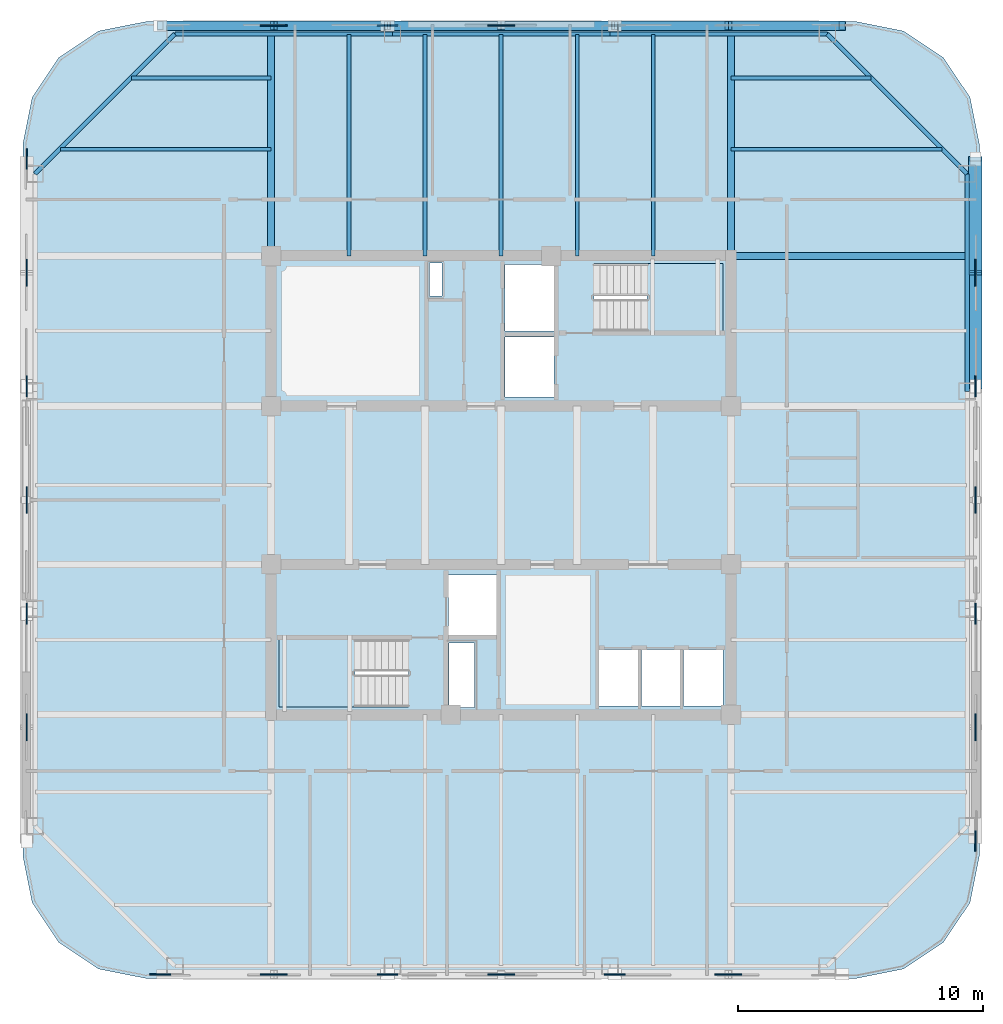
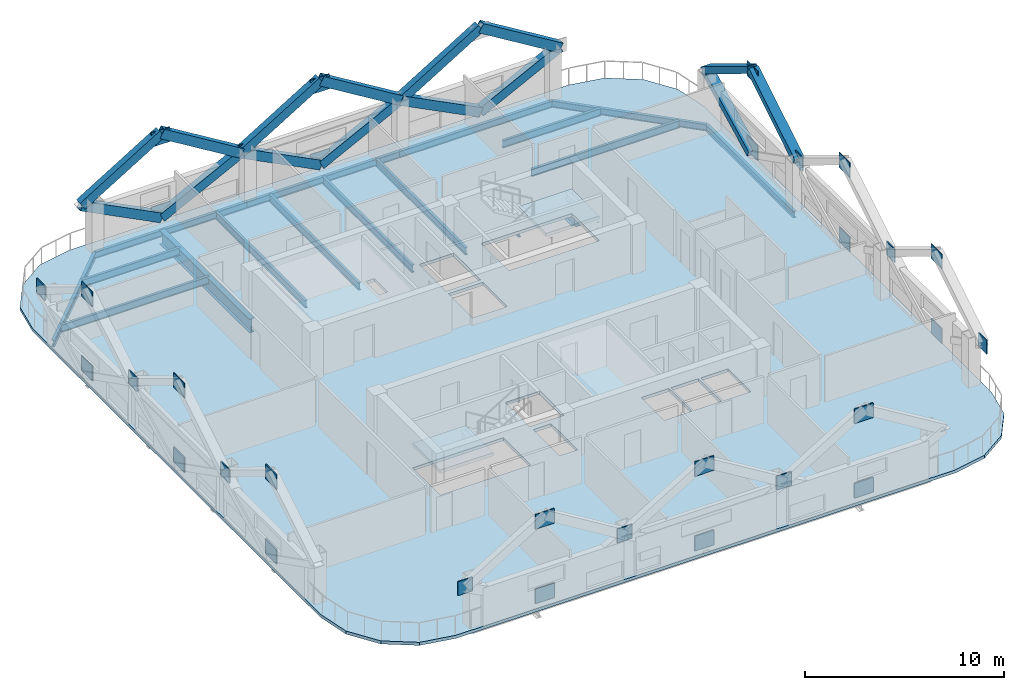
# One storey, part 2 of 9: 32 plates, 18 beams, 15 members, 3 slabs, 2 elements without a shape of their own.
"""IFC4 building model written with IfcOpenShell, lengths in metres."""

from ifc_helpers import new_model, si_unit, direction, frame, origin, origin_2d, place, context, subcontext, project, spatial, polyline, rectangle, hollow_rectangle, i_section, outline, extrude, material, layer, layer_set, material_profile, profile_set, type_object, element, aggregate, save


model = new_model("IFC4")

# Units and contexts
model_context = context("Model", 3, precision=1e-05, world=origin(), true_north=direction((0.0, 1.0)))
body_context = subcontext(model_context, "Body", "Model", "MODEL_VIEW")
ifc_project = project(units=[si_unit("LENGTHUNIT", "METRE"), si_unit("AREAUNIT", "SQUARE_METRE"), si_unit("VOLUMEUNIT", "CUBIC_METRE"), si_unit("PLANEANGLEUNIT", "RADIAN"), si_unit("MASSUNIT", "GRAM", prefix="KILO")], contexts=[model_context])

# Site, building, storey
site_placement = place(None, origin())
site = spatial("IfcSite", under=ifc_project, at=site_placement, CompositionType="ELEMENT")
building_placement = place(site_placement, origin())
building = spatial("IfcBuilding", under=site, at=building_placement, Name="Qhalaya Broadcast Tower", CompositionType="ELEMENT")
storey_placement = place(building_placement, frame((0.0, 0.0, 211.699951171875)))
storey = spatial("IfcBuildingStorey", under=building, at=storey_placement, Name="L62", CompositionType="ELEMENT", Elevation=211.699951171875)

# Beams
ifc_material_1 = material(Name="Structural Steel ASTM A992 Grade 50", Category="steel")
ifc_material_profile_1 = material_profile(ifc_material_1, i_section(OverallWidth=0.154052734375, OverallDepth=0.458984375, WebThickness=0.009033203125, FlangeThickness=0.015380859375, at=origin_2d()), Name="W18X46")
ifc_profile_set_1 = profile_set([ifc_material_profile_1], Name="Structural Steel ASTM A992 Grade 50")
beam_type_1 = type_object("IfcBeamType", Name="Composite Floor Joist J04", PredefinedType="JOIST", material=ifc_profile_set_1)
for number, where, z_axis, x_axis, name in (
    (1, (-6.199951171875, 9.949951171875, -0.41943359375), (0.0, 1.0, 0.0), (-1.0, 0.0, 0.0), "L62 J04 L62-JNN1-1"),
    (2, (-3.10009765625, 9.949951171875, -0.41943359375), (0.0, 1.0, 0.0), (-1.0, 0.0, 0.0), "L62 J04 L62-JNN2-1"),
    (3, (0.0, 9.949951171875, -0.41943359375), (0.0, 1.0, 0.0), (-1.0, 0.0, 0.0), "L62 J04 L62-JNN3-1"),
    (4, (3.10009765625, 9.949951171875, -0.41943359375), (0.0, 1.0, 0.0), (-1.0, 0.0, 0.0), "L62 J04 L62-JNN4-1"),
    (5, (6.199951171875, 9.949951171875, -0.41943359375), (0.0, 1.0, 0.0), (-1.0, 0.0, 0.0), "L62 J04 L62-JNN5-1"),
):
    element("IfcBeam", number, at=place(storey_placement, frame(where, z_axis=z_axis, x_axis=x_axis)), inside=storey, type_object=beam_type_1, Name=name, PredefinedType="JOIST", context=body_context, shape_type="SweptSolid", body=[
        extrude(i_section(OverallWidth=0.154052734375, OverallDepth=0.458984375, WebThickness=0.009033203125, FlangeThickness=0.015380859375, at=origin_2d()), origin(), (0.0, 0.0, 1.0), 9.030029296875),
    ])
for number, where, z_axis, x_axis, name in (
    (6, (-17.9716796875, 14.300048828125, -0.41943359375), (1.0, 0.0, 0.0), (0.0, 1.0, 0.0), "L62 J04 L62-JWE6W-1"),
    (7, (9.375, 14.300048828125, -0.41943359375), (1.0, 0.0, 0.0), (0.0, 1.0, 0.0), "L62 J04 L62-JWE6E-1"),
):
    element("IfcBeam", number, at=place(storey_placement, frame(where, z_axis=z_axis, x_axis=x_axis)), inside=storey, type_object=beam_type_1, Name=name, PredefinedType="JOIST", context=body_context, shape_type="SweptSolid", body=[
        extrude(i_section(OverallWidth=0.154052734375, OverallDepth=0.458984375, WebThickness=0.009033203125, FlangeThickness=0.015380859375, at=origin_2d()), origin(), (0.0, 0.0, 1.0), 8.5966796875),
    ])
for number, where, z_axis, x_axis, name in (
    (8, (-15.07177734375, 17.199951171875, -0.41943359375), (1.0, 0.0, 0.0), (0.0, 1.0, 0.0), "L62 J04 L62-JWE7W-1"),
    (9, (9.375, 17.199951171875, -0.41943359375), (1.0, 0.0, 0.0), (0.0, 1.0, 0.0), "L62 J04 L62-JWE7E-1"),
):
    element("IfcBeam", number, at=place(storey_placement, frame(where, z_axis=z_axis, x_axis=x_axis)), inside=storey, type_object=beam_type_1, Name=name, PredefinedType="JOIST", context=body_context, shape_type="SweptSolid", body=[
        extrude(i_section(OverallWidth=0.154052734375, OverallDepth=0.458984375, WebThickness=0.009033203125, FlangeThickness=0.015380859375, at=origin_2d()), origin(), (0.0, 0.0, 1.0), 5.69677734375),
    ])

# Members
ifc_material_2 = material(Name="Structural Steel ASTM A572 Grade 50", Category="steel")
ifc_material_profile_2 = material_profile(ifc_material_2, hollow_rectangle(XDim=0.3798828125, YDim=0.550048828125, WallThickness=0.02490234375, at=origin_2d()), Name="BOX 380x550x25")
ifc_profile_set_2 = profile_set([ifc_material_profile_2], Name="Structural Steel ASTM A572 Grade 50")
member_type = type_object("IfcMemberType", Name="Exoskeleton Diamond Diagonal Upper EX4", PredefinedType="BRACE", material=ifc_profile_set_2)
member_placement = place(storey_placement, frame((19.340087890625, 9.2666015625, 0.360107421875), z_axis=(0.0, 0.892235092116, 0.451571190841), x_axis=(0.0, -0.451571190841, 0.892235092116)))
element("IfcMember", 10, at=member_placement, inside=storey, type_object=member_type, Name="B5 Exoskeleton Diamond Brace E3-D2", PredefinedType="BRACE", context=body_context, shape_type="SweptSolid", body=[
    extrude(hollow_rectangle(XDim=0.3798828125, YDim=0.550048828125, WallThickness=0.02490234375, at=origin_2d()), origin(), (0.0, 0.0, 1.0), 5.19287109375),
])
for number, where, z_axis, x_axis, name in (
    (11, (19.340087890625, 4.63330078125, 2.705078125), (0.0, 0.853815197337, 0.520576227652), (0.0, -0.520576227652, 0.853815197337), "B5 Exoskeleton Diamond Brace E3-D3"),
    (12, (19.340087890625, 13.89990234375, 2.705078125), (0.0, -0.853815197337, 0.520576227652), (0.0, 0.520576227652, 0.853815197337), "B5 Exoskeleton Diamond Brace E3-D4"),
):
    element("IfcMember", number, at=place(storey_placement, frame(where, z_axis=z_axis, x_axis=x_axis)), inside=storey, type_object=member_type, Name=name, PredefinedType="BRACE", context=body_context, shape_type="SweptSolid", body=[
        extrude(hollow_rectangle(XDim=0.3798828125, YDim=0.550048828125, WallThickness=0.02490234375, at=origin_2d()), origin(), (0.0, 0.0, 1.0), 5.426513671875),
    ])
for number, where, z_axis, x_axis, name in (
    (13, (9.2666015625, 19.340087890625, 0.360107421875), (0.892235092116, 0.0, 0.451571190841), (0.0, 1.0, 0.0), "B5 Exoskeleton Diamond Brace N1-D1"),
    (14, (9.2666015625, 19.340087890625, 0.360107421875), (-0.892235092116, 0.0, 0.451571190841), (0.0, -1.0, 0.0), "B5 Exoskeleton Diamond Brace N1-D2"),
):
    element("IfcMember", number, at=place(storey_placement, frame(where, z_axis=z_axis, x_axis=x_axis)), inside=storey, type_object=member_type, Name=name, PredefinedType="BRACE", context=body_context, shape_type="SweptSolid", body=[
        extrude(hollow_rectangle(XDim=0.3798828125, YDim=0.550048828125, WallThickness=0.02490234375, at=origin_2d()), origin(), (0.0, 0.0, 1.0), 5.19287109375),
    ])
for number, where, z_axis, x_axis, name in (
    (15, (13.89990234375, 19.340087890625, 2.705078125), (-0.853815197337, 0.0, 0.520576227652), (0.0, -1.0, 0.0), "B5 Exoskeleton Diamond Brace N1-D3"),
    (16, (4.63330078125, 19.340087890625, 2.705078125), (0.853815197337, 0.0, 0.520576227652), (0.0, 1.0, 0.0), "B5 Exoskeleton Diamond Brace N1-D4"),
):
    element("IfcMember", number, at=place(storey_placement, frame(where, z_axis=z_axis, x_axis=x_axis)), inside=storey, type_object=member_type, Name=name, PredefinedType="BRACE", context=body_context, shape_type="SweptSolid", body=[
        extrude(hollow_rectangle(XDim=0.3798828125, YDim=0.550048828125, WallThickness=0.02490234375, at=origin_2d()), origin(), (0.0, 0.0, 1.0), 5.426513671875),
    ])
for number, where, z_axis, x_axis, name in (
    (17, (0.0, 19.340087890625, 0.360107421875), (0.892235092116, 0.0, 0.451571190841), (0.0, 1.0, 0.0), "B5 Exoskeleton Diamond Brace N2-D1"),
    (18, (0.0, 19.340087890625, 0.360107421875), (-0.892235092116, 0.0, 0.451571190841), (0.0, -1.0, 0.0), "B5 Exoskeleton Diamond Brace N2-D2"),
):
    element("IfcMember", number, at=place(storey_placement, frame(where, z_axis=z_axis, x_axis=x_axis)), inside=storey, type_object=member_type, Name=name, PredefinedType="BRACE", context=body_context, shape_type="SweptSolid", body=[
        extrude(hollow_rectangle(XDim=0.3798828125, YDim=0.550048828125, WallThickness=0.02490234375, at=origin_2d()), origin(), (0.0, 0.0, 1.0), 5.19287109375),
    ])
for number, where, z_axis, x_axis, name in (
    (19, (4.63330078125, 19.340087890625, 2.705078125), (-0.853815197337, 0.0, 0.520576227652), (0.0, -1.0, 0.0), "B5 Exoskeleton Diamond Brace N2-D3"),
    (20, (-4.63330078125, 19.340087890625, 2.705078125), (0.853815197337, 0.0, 0.520576227652), (0.0, 1.0, 0.0), "B5 Exoskeleton Diamond Brace N2-D4"),
):
    element("IfcMember", number, at=place(storey_placement, frame(where, z_axis=z_axis, x_axis=x_axis)), inside=storey, type_object=member_type, Name=name, PredefinedType="BRACE", context=body_context, shape_type="SweptSolid", body=[
        extrude(hollow_rectangle(XDim=0.3798828125, YDim=0.550048828125, WallThickness=0.02490234375, at=origin_2d()), origin(), (0.0, 0.0, 1.0), 5.426513671875),
    ])
for number, where, z_axis, x_axis, name in (
    (21, (-9.2666015625, 19.340087890625, 0.360107421875), (0.892235092116, 0.0, 0.451571190841), (0.0, 1.0, 0.0), "B5 Exoskeleton Diamond Brace N3-D1"),
    (22, (-9.2666015625, 19.340087890625, 0.360107421875), (-0.892235092116, 0.0, 0.451571190841), (0.0, -1.0, 0.0), "B5 Exoskeleton Diamond Brace N3-D2"),
):
    element("IfcMember", number, at=place(storey_placement, frame(where, z_axis=z_axis, x_axis=x_axis)), inside=storey, type_object=member_type, Name=name, PredefinedType="BRACE", context=body_context, shape_type="SweptSolid", body=[
        extrude(hollow_rectangle(XDim=0.3798828125, YDim=0.550048828125, WallThickness=0.02490234375, at=origin_2d()), origin(), (0.0, 0.0, 1.0), 5.19287109375),
    ])
for number, where, z_axis, x_axis, name in (
    (23, (-4.63330078125, 19.340087890625, 2.705078125), (-0.853815197337, 0.0, 0.520576227652), (0.0, -1.0, 0.0), "B5 Exoskeleton Diamond Brace N3-D3"),
    (24, (-13.89990234375, 19.340087890625, 2.705078125), (0.853815197337, 0.0, 0.520576227652), (0.0, 1.0, 0.0), "B5 Exoskeleton Diamond Brace N3-D4"),
):
    element("IfcMember", number, at=place(storey_placement, frame(where, z_axis=z_axis, x_axis=x_axis)), inside=storey, type_object=member_type, Name=name, PredefinedType="BRACE", context=body_context, shape_type="SweptSolid", body=[
        extrude(hollow_rectangle(XDim=0.3798828125, YDim=0.550048828125, WallThickness=0.02490234375, at=origin_2d()), origin(), (0.0, 0.0, 1.0), 5.426513671875),
    ])

# Beams
ifc_material_profile_3 = material_profile(ifc_material_1, i_section(OverallWidth=0.2919921875, OverallDepth=0.85888671875, WebThickness=0.01708984375, FlangeThickness=0.031005859375, at=origin_2d()), Name="W33X169")
ifc_profile_set_3 = profile_set([ifc_material_profile_3], Name="Structural Steel ASTM A992 Grade 50")
beam_type_2 = type_object("IfcBeamType", Name="Upper Block Primary Girder PG4", PredefinedType="USERDEFINED", material=ifc_profile_set_3)
for number, where, z_axis, x_axis, name in (
    (25, (-9.375, 9.949951171875, -0.619384765625), (0.0, 1.0, 0.0), (-1.0, 0.0, 0.0), "L62 PG4 L62-PGXN1-1"),
    (26, (9.375, 9.949951171875, -0.619384765625), (0.0, 1.0, 0.0), (-1.0, 0.0, 0.0), "L62 PG4 L62-PGXN2-1"),
):
    element("IfcBeam", number, at=place(storey_placement, frame(where, z_axis=z_axis, x_axis=x_axis)), inside=storey, type_object=beam_type_2, Name=name, ObjectType="GIRDER", PredefinedType="USERDEFINED", context=body_context, shape_type="SweptSolid", body=[
        extrude(i_section(OverallWidth=0.2919921875, OverallDepth=0.85888671875, WebThickness=0.01708984375, FlangeThickness=0.031005859375, at=origin_2d()), origin(), (0.0, 0.0, 1.0), 9.030029296875),
    ])
beam_1_placement = place(storey_placement, frame((9.375, 9.949951171875, -0.619384765625), z_axis=(1.0, 0.0, 0.0), x_axis=(0.0, 1.0, 0.0)))
element("IfcBeam", 27, at=beam_1_placement, inside=storey, type_object=beam_type_2, Name="L62 PG4 L62-PGYE4-1", ObjectType="GIRDER", PredefinedType="USERDEFINED", context=body_context, shape_type="SweptSolid", body=[
    extrude(i_section(OverallWidth=0.2919921875, OverallDepth=0.85888671875, WebThickness=0.01708984375, FlangeThickness=0.031005859375, at=origin_2d()), origin(), (0.0, 0.0, 1.0), 9.60498046875),
])
ifc_material_profile_4 = material_profile(ifc_material_1, i_section(OverallWidth=0.177978515625, OverallDepth=0.406005859375, WebThickness=0.0078125, FlangeThickness=0.0126953125, at=origin_2d()), Name="W16X40")
ifc_profile_set_4 = profile_set([ifc_material_profile_4], Name="Structural Steel ASTM A992 Grade 50")
beam_type_3 = type_object("IfcBeamType", Name="Upper Perimeter Spandrel Beam SP2", PredefinedType="SPANDREL", material=ifc_profile_set_4)
beam_2_placement = place(storey_placement, frame((19.0, 4.433349609375, -0.39306640625), z_axis=(0.0, 1.0, 0.0), x_axis=(-1.0, 0.0, 0.0)))
element("IfcBeam", 28, at=beam_2_placement, inside=storey, type_object=beam_type_3, Name="L62 SP2 L62-SPR-07", PredefinedType="SPANDREL", context=body_context, shape_type="SweptSolid", body=[
    extrude(i_section(OverallWidth=0.177978515625, OverallDepth=0.406005859375, WebThickness=0.0078125, FlangeThickness=0.0126953125, at=origin_2d()), origin(), (0.0, 0.0, 1.0), 8.86669921875),
])
beam_3_placement = place(storey_placement, frame((19.0, 13.300048828125, -0.39306640625), z_axis=(-0.707106781187, 0.707106781187, 0.0), x_axis=(-0.707106781187, -0.707106781187, 0.0)))
element("IfcBeam", 29, at=beam_3_placement, inside=storey, type_object=beam_type_3, Name="L62 SP2 L62-SPR-08", PredefinedType="SPANDREL", context=body_context, shape_type="SweptSolid", body=[
    extrude(i_section(OverallWidth=0.177978515625, OverallDepth=0.406005859375, WebThickness=0.0078125, FlangeThickness=0.0126953125, at=origin_2d()), origin(), (0.0, 0.0, 1.0), 8.06103515625),
])
for number, where, z_axis, x_axis, name in (
    (30, (13.300048828125, 19.0, -0.39306640625), (-1.0, 0.0, 0.0), (0.0, -1.0, 0.0), "L62 SP2 L62-SPR-09"),
    (31, (4.433349609375, 19.0, -0.39306640625), (-1.0, 0.0, 0.0), (0.0, -1.0, 0.0), "L62 SP2 L62-SPR-10"),
    (32, (-4.433349609375, 19.0, -0.39306640625), (-1.0, 0.0, 0.0), (0.0, -1.0, 0.0), "L62 SP2 L62-SPR-11"),
):
    element("IfcBeam", number, at=place(storey_placement, frame(where, z_axis=z_axis, x_axis=x_axis)), inside=storey, type_object=beam_type_3, Name=name, PredefinedType="SPANDREL", context=body_context, shape_type="SweptSolid", body=[
        extrude(i_section(OverallWidth=0.177978515625, OverallDepth=0.406005859375, WebThickness=0.0078125, FlangeThickness=0.0126953125, at=origin_2d()), origin(), (0.0, 0.0, 1.0), 8.86669921875),
    ])
beam_4_placement = place(storey_placement, frame((-13.300048828125, 19.0, -0.39306640625), z_axis=(-0.707106781187, -0.707106781187, 0.0), x_axis=(0.707106781187, -0.707106781187, 0.0)))
element("IfcBeam", 33, at=beam_4_placement, inside=storey, type_object=beam_type_3, Name="L62 SP2 L62-SPR-12", PredefinedType="SPANDREL", context=body_context, shape_type="SweptSolid", body=[
    extrude(i_section(OverallWidth=0.177978515625, OverallDepth=0.406005859375, WebThickness=0.0078125, FlangeThickness=0.0126953125, at=origin_2d()), origin(), (0.0, 0.0, 1.0), 8.06103515625),
])

# Plates
ifc_layer_1 = layer(ifc_material_2, 0.054931640625, Name="Structural Steel ASTM A572 Grade 50")
ifc_layer_set_1 = layer_set([ifc_layer_1], Name="Structural Steel ASTM A572 Grade 50")
plate_type = type_object("IfcPlateType", Name="Exoskeleton Diamond Node Gusset Plate NP-01", PredefinedType="USERDEFINED", material=ifc_layer_set_1)
for number, where, z_axis, x_axis, name in (
    (34, (-9.2666015625, -19.340087890625, 0.210205078125), (0.0, 0.0, 1.0), (1.0, 0.0, 0.0), "Exoskeleton Diamond Node B5-S1-BOT"),
    (35, (-9.2666015625, -19.340087890625, 4.780029296875), (0.0, 0.0, 1.0), (1.0, 0.0, 0.0), "Exoskeleton Diamond Node B5-S1-TOP"),
):
    element("IfcPlate", number, at=place(storey_placement, frame(where, z_axis=z_axis, x_axis=x_axis)), inside=storey, type_object=plate_type, Name=name, ObjectType="GUSSET_PLATE", PredefinedType="USERDEFINED", context=body_context, shape_type="SweptSolid", body=[
        extrude(rectangle(XDim=1.10009765625, YDim=0.054931640625, at=origin_2d()), origin(), (0.0, 0.0, 1.0), 0.89990234375),
    ])
plate_1_placement = place(storey_placement, frame((-13.89990234375, -19.340087890625, 2.280029296875), z_axis=(0.0, 0.0, 1.0), x_axis=(1.0, 0.0, 0.0)))
element("IfcPlate", 36, at=plate_1_placement, inside=storey, type_object=plate_type, Name="Exoskeleton Diamond Node B5-S1-MDL", ObjectType="GUSSET_PLATE", PredefinedType="USERDEFINED", context=body_context, shape_type="SweptSolid", body=[
    extrude(rectangle(XDim=0.85009765625, YDim=0.054931640625, at=origin_2d()), origin(), (0.0, 0.0, 1.0), 0.85009765625),
])
for number, where, z_axis, x_axis, name in (
    (37, (0.0, -19.340087890625, 0.210205078125), (0.0, 0.0, 1.0), (1.0, 0.0, 0.0), "Exoskeleton Diamond Node B5-S2-BOT"),
    (38, (0.0, -19.340087890625, 4.780029296875), (0.0, 0.0, 1.0), (1.0, 0.0, 0.0), "Exoskeleton Diamond Node B5-S2-TOP"),
):
    element("IfcPlate", number, at=place(storey_placement, frame(where, z_axis=z_axis, x_axis=x_axis)), inside=storey, type_object=plate_type, Name=name, ObjectType="GUSSET_PLATE", PredefinedType="USERDEFINED", context=body_context, shape_type="SweptSolid", body=[
        extrude(rectangle(XDim=1.10009765625, YDim=0.054931640625, at=origin_2d()), origin(), (0.0, 0.0, 1.0), 0.89990234375),
    ])
plate_2_placement = place(storey_placement, frame((-4.63330078125, -19.340087890625, 2.280029296875), z_axis=(0.0, 0.0, 1.0), x_axis=(1.0, 0.0, 0.0)))
element("IfcPlate", 39, at=plate_2_placement, inside=storey, type_object=plate_type, Name="Exoskeleton Diamond Node B5-S2-MDL", ObjectType="GUSSET_PLATE", PredefinedType="USERDEFINED", context=body_context, shape_type="SweptSolid", body=[
    extrude(rectangle(XDim=0.85009765625, YDim=0.054931640625, at=origin_2d()), origin(), (0.0, 0.0, 1.0), 0.85009765625),
])
for number, where, z_axis, x_axis, name in (
    (40, (9.2666015625, -19.340087890625, 0.210205078125), (0.0, 0.0, 1.0), (1.0, 0.0, 0.0), "Exoskeleton Diamond Node B5-S3-BOT"),
    (41, (9.2666015625, -19.340087890625, 4.780029296875), (0.0, 0.0, 1.0), (1.0, 0.0, 0.0), "Exoskeleton Diamond Node B5-S3-TOP"),
):
    element("IfcPlate", number, at=place(storey_placement, frame(where, z_axis=z_axis, x_axis=x_axis)), inside=storey, type_object=plate_type, Name=name, ObjectType="GUSSET_PLATE", PredefinedType="USERDEFINED", context=body_context, shape_type="SweptSolid", body=[
        extrude(rectangle(XDim=1.10009765625, YDim=0.054931640625, at=origin_2d()), origin(), (0.0, 0.0, 1.0), 0.89990234375),
    ])
plate_3_placement = place(storey_placement, frame((4.63330078125, -19.340087890625, 2.280029296875), z_axis=(0.0, 0.0, 1.0), x_axis=(1.0, 0.0, 0.0)))
element("IfcPlate", 42, at=plate_3_placement, inside=storey, type_object=plate_type, Name="Exoskeleton Diamond Node B5-S3-MDL", ObjectType="GUSSET_PLATE", PredefinedType="USERDEFINED", context=body_context, shape_type="SweptSolid", body=[
    extrude(rectangle(XDim=0.85009765625, YDim=0.054931640625, at=origin_2d()), origin(), (0.0, 0.0, 1.0), 0.85009765625),
])
for number, where, z_axis, x_axis, name in (
    (43, (19.340087890625, -9.2666015625, 0.210205078125), (0.0, 0.0, 1.0), (0.0, 1.0, 0.0), "Exoskeleton Diamond Node B5-E1-BOT"),
    (44, (19.340087890625, -9.2666015625, 4.780029296875), (0.0, 0.0, 1.0), (0.0, 1.0, 0.0), "Exoskeleton Diamond Node B5-E1-TOP"),
):
    element("IfcPlate", number, at=place(storey_placement, frame(where, z_axis=z_axis, x_axis=x_axis)), inside=storey, type_object=plate_type, Name=name, ObjectType="GUSSET_PLATE", PredefinedType="USERDEFINED", context=body_context, shape_type="SweptSolid", body=[
        extrude(rectangle(XDim=1.10009765625, YDim=0.054931640625, at=origin_2d()), origin(), (0.0, 0.0, 1.0), 0.89990234375),
    ])
plate_4_placement = place(storey_placement, frame((19.340087890625, -13.89990234375, 2.280029296875), z_axis=(0.0, 0.0, 1.0), x_axis=(0.0, 1.0, 0.0)))
element("IfcPlate", 45, at=plate_4_placement, inside=storey, type_object=plate_type, Name="Exoskeleton Diamond Node B5-E1-MDL", ObjectType="GUSSET_PLATE", PredefinedType="USERDEFINED", context=body_context, shape_type="SweptSolid", body=[
    extrude(rectangle(XDim=0.85009765625, YDim=0.054931640625, at=origin_2d()), origin(), (0.0, 0.0, 1.0), 0.85009765625),
])
for number, where, z_axis, x_axis, name in (
    (46, (19.340087890625, 0.0, 0.210205078125), (0.0, 0.0, 1.0), (0.0, 1.0, 0.0), "Exoskeleton Diamond Node B5-E2-BOT"),
    (47, (19.340087890625, 0.0, 4.780029296875), (0.0, 0.0, 1.0), (0.0, 1.0, 0.0), "Exoskeleton Diamond Node B5-E2-TOP"),
):
    element("IfcPlate", number, at=place(storey_placement, frame(where, z_axis=z_axis, x_axis=x_axis)), inside=storey, type_object=plate_type, Name=name, ObjectType="GUSSET_PLATE", PredefinedType="USERDEFINED", context=body_context, shape_type="SweptSolid", body=[
        extrude(rectangle(XDim=1.10009765625, YDim=0.054931640625, at=origin_2d()), origin(), (0.0, 0.0, 1.0), 0.89990234375),
    ])
plate_5_placement = place(storey_placement, frame((19.340087890625, -4.63330078125, 2.280029296875), z_axis=(0.0, 0.0, 1.0), x_axis=(0.0, 1.0, 0.0)))
element("IfcPlate", 48, at=plate_5_placement, inside=storey, type_object=plate_type, Name="Exoskeleton Diamond Node B5-E2-MDL", ObjectType="GUSSET_PLATE", PredefinedType="USERDEFINED", context=body_context, shape_type="SweptSolid", body=[
    extrude(rectangle(XDim=0.85009765625, YDim=0.054931640625, at=origin_2d()), origin(), (0.0, 0.0, 1.0), 0.85009765625),
])
for number, where, z_axis, x_axis, name in (
    (49, (19.340087890625, 9.2666015625, 0.210205078125), (0.0, 0.0, 1.0), (0.0, 1.0, 0.0), "Exoskeleton Diamond Node B5-E3-BOT"),
    (50, (19.340087890625, 9.2666015625, 4.780029296875), (0.0, 0.0, 1.0), (0.0, 1.0, 0.0), "Exoskeleton Diamond Node B5-E3-TOP"),
):
    element("IfcPlate", number, at=place(storey_placement, frame(where, z_axis=z_axis, x_axis=x_axis)), inside=storey, type_object=plate_type, Name=name, ObjectType="GUSSET_PLATE", PredefinedType="USERDEFINED", context=body_context, shape_type="SweptSolid", body=[
        extrude(rectangle(XDim=1.10009765625, YDim=0.054931640625, at=origin_2d()), origin(), (0.0, 0.0, 1.0), 0.89990234375),
    ])
plate_6_placement = place(storey_placement, frame((19.340087890625, 4.63330078125, 2.280029296875), z_axis=(0.0, 0.0, 1.0), x_axis=(0.0, 1.0, 0.0)))
element("IfcPlate", 51, at=plate_6_placement, inside=storey, type_object=plate_type, Name="Exoskeleton Diamond Node B5-E3-MDL", ObjectType="GUSSET_PLATE", PredefinedType="USERDEFINED", context=body_context, shape_type="SweptSolid", body=[
    extrude(rectangle(XDim=0.85009765625, YDim=0.054931640625, at=origin_2d()), origin(), (0.0, 0.0, 1.0), 0.85009765625),
])
for number, where, z_axis, x_axis, name in (
    (52, (0.0, 19.340087890625, 0.210205078125), (0.0, 0.0, 1.0), (1.0, 0.0, 0.0), "Exoskeleton Diamond Node B5-N2-BOT"),
    (53, (0.0, 19.340087890625, 4.780029296875), (0.0, 0.0, 1.0), (1.0, 0.0, 0.0), "Exoskeleton Diamond Node B5-N2-TOP"),
    (54, (-9.2666015625, 19.340087890625, 0.210205078125), (0.0, 0.0, 1.0), (1.0, 0.0, 0.0), "Exoskeleton Diamond Node B5-N3-BOT"),
    (55, (-9.2666015625, 19.340087890625, 4.780029296875), (0.0, 0.0, 1.0), (1.0, 0.0, 0.0), "Exoskeleton Diamond Node B5-N3-TOP"),
):
    element("IfcPlate", number, at=place(storey_placement, frame(where, z_axis=z_axis, x_axis=x_axis)), inside=storey, type_object=plate_type, Name=name, ObjectType="GUSSET_PLATE", PredefinedType="USERDEFINED", context=body_context, shape_type="SweptSolid", body=[
        extrude(rectangle(XDim=1.10009765625, YDim=0.054931640625, at=origin_2d()), origin(), (0.0, 0.0, 1.0), 0.89990234375),
    ])
plate_7_placement = place(storey_placement, frame((-4.63330078125, 19.340087890625, 2.280029296875), z_axis=(0.0, 0.0, 1.0), x_axis=(1.0, 0.0, 0.0)))
element("IfcPlate", 56, at=plate_7_placement, inside=storey, type_object=plate_type, Name="Exoskeleton Diamond Node B5-N3-MDL", ObjectType="GUSSET_PLATE", PredefinedType="USERDEFINED", context=body_context, shape_type="SweptSolid", body=[
    extrude(rectangle(XDim=0.85009765625, YDim=0.054931640625, at=origin_2d()), origin(), (0.0, 0.0, 1.0), 0.85009765625),
])
for number, where, z_axis, x_axis, name in (
    (57, (-19.340087890625, 9.2666015625, 0.210205078125), (0.0, 0.0, 1.0), (0.0, 1.0, 0.0), "Exoskeleton Diamond Node B5-W1-BOT"),
    (58, (-19.340087890625, 9.2666015625, 4.780029296875), (0.0, 0.0, 1.0), (0.0, 1.0, 0.0), "Exoskeleton Diamond Node B5-W1-TOP"),
):
    element("IfcPlate", number, at=place(storey_placement, frame(where, z_axis=z_axis, x_axis=x_axis)), inside=storey, type_object=plate_type, Name=name, ObjectType="GUSSET_PLATE", PredefinedType="USERDEFINED", context=body_context, shape_type="SweptSolid", body=[
        extrude(rectangle(XDim=1.10009765625, YDim=0.054931640625, at=origin_2d()), origin(), (0.0, 0.0, 1.0), 0.89990234375),
    ])
plate_8_placement = place(storey_placement, frame((-19.340087890625, 13.89990234375, 2.280029296875), z_axis=(0.0, 0.0, 1.0), x_axis=(0.0, 1.0, 0.0)))
element("IfcPlate", 59, at=plate_8_placement, inside=storey, type_object=plate_type, Name="Exoskeleton Diamond Node B5-W1-MDL", ObjectType="GUSSET_PLATE", PredefinedType="USERDEFINED", context=body_context, shape_type="SweptSolid", body=[
    extrude(rectangle(XDim=0.85009765625, YDim=0.054931640625, at=origin_2d()), origin(), (0.0, 0.0, 1.0), 0.85009765625),
])
for number, where, z_axis, x_axis, name in (
    (60, (-19.340087890625, 0.0, 0.210205078125), (0.0, 0.0, 1.0), (0.0, 1.0, 0.0), "Exoskeleton Diamond Node B5-W2-BOT"),
    (61, (-19.340087890625, 0.0, 4.780029296875), (0.0, 0.0, 1.0), (0.0, 1.0, 0.0), "Exoskeleton Diamond Node B5-W2-TOP"),
):
    element("IfcPlate", number, at=place(storey_placement, frame(where, z_axis=z_axis, x_axis=x_axis)), inside=storey, type_object=plate_type, Name=name, ObjectType="GUSSET_PLATE", PredefinedType="USERDEFINED", context=body_context, shape_type="SweptSolid", body=[
        extrude(rectangle(XDim=1.10009765625, YDim=0.054931640625, at=origin_2d()), origin(), (0.0, 0.0, 1.0), 0.89990234375),
    ])
plate_9_placement = place(storey_placement, frame((-19.340087890625, 4.63330078125, 2.280029296875), z_axis=(0.0, 0.0, 1.0), x_axis=(0.0, 1.0, 0.0)))
element("IfcPlate", 62, at=plate_9_placement, inside=storey, type_object=plate_type, Name="Exoskeleton Diamond Node B5-W2-MDL", ObjectType="GUSSET_PLATE", PredefinedType="USERDEFINED", context=body_context, shape_type="SweptSolid", body=[
    extrude(rectangle(XDim=0.85009765625, YDim=0.054931640625, at=origin_2d()), origin(), (0.0, 0.0, 1.0), 0.85009765625),
])
for number, where, z_axis, x_axis, name in (
    (63, (-19.340087890625, -9.2666015625, 0.210205078125), (0.0, 0.0, 1.0), (0.0, 1.0, 0.0), "Exoskeleton Diamond Node B5-W3-BOT"),
    (64, (-19.340087890625, -9.2666015625, 4.780029296875), (0.0, 0.0, 1.0), (0.0, 1.0, 0.0), "Exoskeleton Diamond Node B5-W3-TOP"),
):
    element("IfcPlate", number, at=place(storey_placement, frame(where, z_axis=z_axis, x_axis=x_axis)), inside=storey, type_object=plate_type, Name=name, ObjectType="GUSSET_PLATE", PredefinedType="USERDEFINED", context=body_context, shape_type="SweptSolid", body=[
        extrude(rectangle(XDim=1.10009765625, YDim=0.054931640625, at=origin_2d()), origin(), (0.0, 0.0, 1.0), 0.89990234375),
    ])
plate_10_placement = place(storey_placement, frame((-19.340087890625, -4.63330078125, 2.280029296875), z_axis=(0.0, 0.0, 1.0), x_axis=(0.0, 1.0, 0.0)))
element("IfcPlate", 65, at=plate_10_placement, inside=storey, type_object=plate_type, Name="Exoskeleton Diamond Node B5-W3-MDL", ObjectType="GUSSET_PLATE", PredefinedType="USERDEFINED", context=body_context, shape_type="SweptSolid", body=[
    extrude(rectangle(XDim=0.85009765625, YDim=0.054931640625, at=origin_2d()), origin(), (0.0, 0.0, 1.0), 0.85009765625),
])

# Stair, slab
ifc_material_3 = material(Name="Concrete C40/50", Category="concrete")
stair_type = type_object("IfcStairType", Name="Protected Dogleg Core Stair 3150", PredefinedType="TWO_STRAIGHT_RUN_STAIR", material=ifc_material_3)
stair_1_placement = place(storey_placement, origin())
stair_1 = element("IfcStair", 66, at=stair_1_placement, inside=storey, type_object=stair_type, Name="L62 North Core Exit Stair ST-1", PredefinedType="TWO_STRAIGHT_RUN_STAIR")
ifc_layer_2 = layer(ifc_material_3, 0.199951171875, Name="Concrete C40/50")
ifc_layer_set_2 = layer_set([ifc_layer_2], Name="Concrete C40/50")
slab_type_1 = type_object("IfcSlabType", Name="Stair & Ramp Half-Landing Slab 200", PredefinedType="LANDING", material=ifc_layer_set_2)
slab_1_placement = place(storey_placement, frame((0.0, 0.0, 1.324951171875)))
slab_1 = element("IfcSlab", 67, at=slab_1_placement, type_object=slab_type_1, Name="ST-1 landing 1", PredefinedType="LANDING", context=body_context, shape_type="SweptSolid", body=[
    extrude(outline(polyline([(5.955078125, 6.8798828125), (9.050048828125, 6.8798828125), (9.050048828125, 9.639892578125), (5.955078125, 9.639892578125), (5.955078125, 6.8798828125)])), origin(), (0.0, 0.0, 1.0), 0.2001953125),
])
aggregate(stair_1, [slab_1])

stair_2_placement = place(storey_placement, origin())
stair_2 = element("IfcStair", 68, at=stair_2_placement, inside=storey, type_object=stair_type, Name="L62 South Core Exit Stair ST-2", PredefinedType="TWO_STRAIGHT_RUN_STAIR")
slab_2_placement = place(storey_placement, frame((0.0, 0.0, 1.324951171875)))
slab_2 = element("IfcSlab", 69, at=slab_2_placement, type_object=slab_type_1, Name="ST-2 landing 1", PredefinedType="LANDING", context=body_context, shape_type="SweptSolid", body=[
    extrude(outline(polyline([(-5.955078125, -5.679931640625), (-9.050048828125, -5.679931640625), (-9.050048828125, -8.43994140625), (-5.955078125, -8.43994140625), (-5.955078125, -5.679931640625)])), origin(), (0.0, 0.0, 1.0), 0.2001953125),
])
aggregate(stair_2, [slab_2])

# Slab
ifc_layer_3 = layer(ifc_material_3, 0.18994140625, Name="Concrete C40/50")
ifc_layer_set_3 = layer_set([ifc_layer_3], Name="Concrete C40/50")
slab_type_2 = type_object("IfcSlabType", Name="Upper Tower Composite Floor Slab 190", PredefinedType="FLOOR", material=ifc_layer_set_3)
slab_3_placement = place(storey_placement, frame((0.0, 0.0, -0.18994140625)))
element("IfcSlab", 70, at=slab_3_placement, inside=storey, type_object=slab_type_2, Name="L62 Main Structural Floor Slab", PredefinedType="FLOOR", context=body_context, shape_type="SweptSolid", body=[
    extrude(outline(polyline([(14.5, -19.5), (16.413330078125, -19.119384765625), (18.035400390625, -18.035400390625), (19.119384765625, -16.413330078125), (19.5, -14.5), (19.5, 14.5), (19.119384765625, 16.413330078125), (18.035400390625, 18.035400390625), (16.413330078125, 19.119384765625), (14.5, 19.5), (-14.5, 19.5), (-16.413330078125, 19.119384765625), (-18.035400390625, 18.035400390625), (-19.119384765625, 16.413330078125), (-19.5, 14.5), (-19.5, -14.5), (-19.119384765625, -16.413330078125), (-18.035400390625, -18.035400390625), (-16.413330078125, -19.119384765625), (-14.5, -19.5), (14.5, -19.5)]), holes=[polyline([(3.784912109375, 9.639892578125), (9.050048828125, 9.639892578125), (9.050048828125, 6.8798828125), (3.784912109375, 6.8798828125), (3.784912109375, 9.639892578125)]), polyline([(-3.784912109375, -8.43994140625), (-9.050048828125, -8.43994140625), (-9.050048828125, -5.679931640625), (-3.784912109375, -5.679931640625), (-3.784912109375, -8.43994140625)]), polyline([(0.14990234375, 6.64990234375), (2.14990234375, 6.64990234375), (2.14990234375, 4.199951171875), (0.14990234375, 4.199951171875), (0.14990234375, 6.64990234375)]), polyline([(0.14990234375, 9.60009765625), (2.14990234375, 9.60009765625), (2.14990234375, 6.89990234375), (0.14990234375, 6.89990234375), (0.14990234375, 9.60009765625)]), polyline([(-2.14990234375, -3.050048828125), (-0.14990234375, -3.050048828125), (-0.14990234375, -5.5), (-2.14990234375, -5.5), (-2.14990234375, -3.050048828125)]), polyline([(4.0, -6.10009765625), (5.60009765625, -6.10009765625), (5.60009765625, -8.39990234375), (4.0, -8.39990234375), (4.0, -6.10009765625)]), polyline([(5.719970703125, -6.10009765625), (7.320068359375, -6.10009765625), (7.320068359375, -8.39990234375), (5.719970703125, -8.39990234375), (5.719970703125, -6.10009765625)]), polyline([(7.43994140625, -6.10009765625), (9.0400390625, -6.10009765625), (9.0400390625, -8.39990234375), (7.43994140625, -8.39990234375), (7.43994140625, -6.10009765625)]), polyline([(-2.919921875, 9.659912109375), (-2.419921875, 9.659912109375), (-2.419921875, 8.320068359375), (-2.919921875, 8.320068359375), (-2.919921875, 9.659912109375)]), polyline([(-2.1201171875, -5.820068359375), (-1.080078125, -5.820068359375), (-1.080078125, -8.4599609375), (-2.1201171875, -8.4599609375), (-2.1201171875, -5.820068359375)])]), origin(), (0.0, 0.0, 1.0), 0.18994140625),
])

save(model, "model.ifc")
